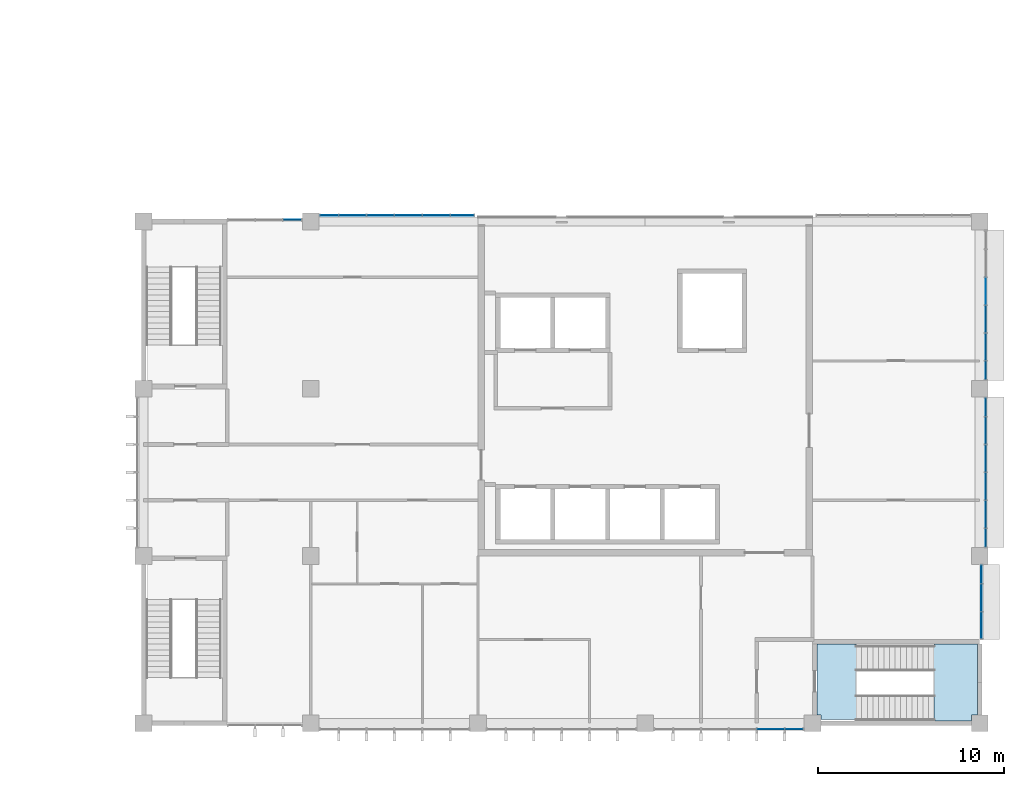
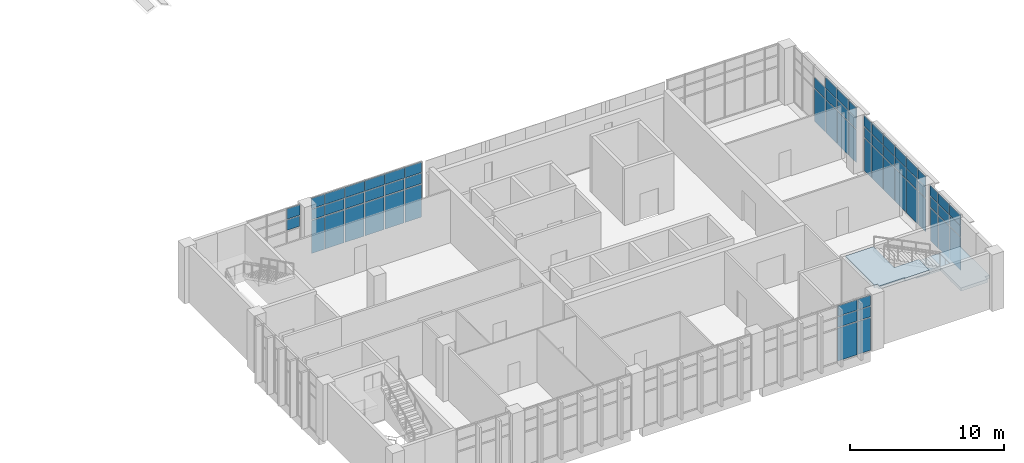
# One storey, part 48 of 79: 64 plates, 2 slabs, 7 elements without a shape of their own.
"""IFC4 building model written with IfcOpenShell, lengths in metres."""

from ifc_helpers import new_model, si_unit, direction, frame, origin, origin_2d, place, context, subcontext, project, spatial, polyline, rectangle, outline, extrude, material, layer, layer_set, type_object, element, aggregate, save


model = new_model("IFC4")

# Units and contexts
model_context = context("Model", 3, precision=1e-05, world=origin(), true_north=direction((0.0, 1.0)))
body_context = subcontext(model_context, "Body", "Model", "MODEL_VIEW")
ifc_project = project(units=[si_unit("LENGTHUNIT", "METRE"), si_unit("AREAUNIT", "SQUARE_METRE"), si_unit("VOLUMEUNIT", "CUBIC_METRE"), si_unit("PLANEANGLEUNIT", "RADIAN"), si_unit("MASSUNIT", "GRAM", prefix="KILO")], contexts=[model_context])

# Site, building, storey
site_placement = place(None, origin())
site = spatial("IfcSite", under=ifc_project, at=site_placement, CompositionType="ELEMENT")
building_placement = place(site_placement, origin())
building = spatial("IfcBuilding", under=site, at=building_placement, Name="Guidao Yard Department Store", CompositionType="ELEMENT")
storey_placement = place(building_placement, frame((0.0, 0.0, 15.0)))
storey = spatial("IfcBuildingStorey", under=building, at=storey_placement, Name="L03", CompositionType="ELEMENT", Elevation=15.0)

# Curtain wall, plates
ifc_material_1 = material(Name="Aluminium and glass", Category="aluminium")
ifc_layer_1 = layer(ifc_material_1, 0.159912109375)
ifc_layer_set_1 = layer_set([ifc_layer_1], Name="Unitised curtain wall CW4 1500 module")
curtain_wall_type = type_object("IfcCurtainWallType", Name="Unitised curtain wall CW4 1500 module", PredefinedType="NOTDEFINED", material=ifc_layer_set_1)
curtain_wall_1_placement = place(storey_placement, origin())
curtain_wall_1 = element("IfcCurtainWall", 1, at=curtain_wall_1_placement, inside=storey, type_object=curtain_wall_type, Name="Unitised curtain wall", PredefinedType="NOTDEFINED")
ifc_material_2 = material(Name="Aluminium 6063-T5 faced insulated spandrel", Category="aluminium")
ifc_layer_2 = layer(ifc_material_2, 0.06005859375)
ifc_layer_set_2 = layer_set([ifc_layer_2], Name="Spandrel panel SP1 insulated opaque")
plate_type_1 = type_object("IfcPlateType", Name="Spandrel panel SP1 insulated opaque", PredefinedType="CURTAIN_PANEL", material=ifc_layer_set_2)
plate_1_placement = place(storey_placement, frame((159.75, -0.330078125, 3.6298828125), z_axis=(0.0, 0.0, 1.0), x_axis=(-1.0, 0.0, 0.0)))
plate_1 = element("IfcPlate", 2, at=plate_1_placement, type_object=plate_type_1, Name="CW-OW-L03-04 panel 5.3", PredefinedType="CURTAIN_PANEL", context=body_context, shape_type="SweptSolid", body=[
    extrude(rectangle(XDim=1.43994140625, YDim=0.06005859375, at=origin_2d()), origin(), (0.0, 0.0, 1.0), 0.81005859375),
])
plate_2_placement = place(storey_placement, frame((161.010009765625, -0.330078125, 3.6298828125), z_axis=(0.0, 0.0, 1.0), x_axis=(-1.0, 0.0, 0.0)))
plate_2 = element("IfcPlate", 3, at=plate_2_placement, type_object=plate_type_1, Name="CW-OW-L03-04 panel 6.3", PredefinedType="CURTAIN_PANEL", context=body_context, shape_type="SweptSolid", body=[
    extrude(rectangle(XDim=0.9599609375, YDim=0.06005859375, at=origin_2d()), origin(), (0.0, 0.0, 1.0), 0.81005859375),
])

# Curtain wall, plate
curtain_wall_2_placement = place(storey_placement, origin())
curtain_wall_2 = element("IfcCurtainWall", 4, at=curtain_wall_2_placement, inside=storey, type_object=curtain_wall_type, Name="Unitised curtain wall", PredefinedType="NOTDEFINED")
plate_3_placement = place(storey_placement, frame((134.010009765625, 27.10009765625, 3.6298828125), z_axis=(0.0, 0.0, 1.0), x_axis=(1.0, 0.0, 0.0)))
plate_3 = element("IfcPlate", 5, at=plate_3_placement, type_object=plate_type_1, Name="CW-OW-L03-06 panel 3.3", PredefinedType="CURTAIN_PANEL", context=body_context, shape_type="SweptSolid", body=[
    extrude(rectangle(XDim=0.9599609375, YDim=0.06005859375, at=origin_2d()), origin(), (0.0, 0.0, 1.0), 0.81005859375),
])

# Curtain wall, plates
curtain_wall_3_placement = place(storey_placement, origin())
curtain_wall_3 = element("IfcCurtainWall", 6, at=curtain_wall_3_placement, inside=storey, type_object=curtain_wall_type, Name="Unitised curtain wall", PredefinedType="NOTDEFINED")
plate_4_placement = place(storey_placement, frame((135.989990234375, 27.330078125, 3.6298828125), z_axis=(0.0, 0.0, 1.0), x_axis=(1.0, 0.0, 0.0)))
plate_4 = element("IfcPlate", 7, at=plate_4_placement, type_object=plate_type_1, Name="CW-OW-L03-07 panel 1.3", PredefinedType="CURTAIN_PANEL", context=body_context, shape_type="SweptSolid", body=[
    extrude(rectangle(XDim=0.9599609375, YDim=0.06005859375, at=origin_2d()), origin(), (0.0, 0.0, 1.0), 0.81005859375),
])
plate_5_placement = place(storey_placement, frame((137.25, 27.330078125, 3.6298828125), z_axis=(0.0, 0.0, 1.0), x_axis=(1.0, 0.0, 0.0)))
plate_5 = element("IfcPlate", 8, at=plate_5_placement, type_object=plate_type_1, Name="CW-OW-L03-07 panel 2.3", PredefinedType="CURTAIN_PANEL", context=body_context, shape_type="SweptSolid", body=[
    extrude(rectangle(XDim=1.43994140625, YDim=0.06005859375, at=origin_2d()), origin(), (0.0, 0.0, 1.0), 0.81005859375),
])
plate_6_placement = place(storey_placement, frame((138.75, 27.330078125, 3.6298828125), z_axis=(0.0, 0.0, 1.0), x_axis=(1.0, 0.0, 0.0)))
plate_6 = element("IfcPlate", 9, at=plate_6_placement, type_object=plate_type_1, Name="CW-OW-L03-07 panel 3.3", PredefinedType="CURTAIN_PANEL", context=body_context, shape_type="SweptSolid", body=[
    extrude(rectangle(XDim=1.43994140625, YDim=0.06005859375, at=origin_2d()), origin(), (0.0, 0.0, 1.0), 0.81005859375),
])
plate_7_placement = place(storey_placement, frame((140.25, 27.330078125, 3.6298828125), z_axis=(0.0, 0.0, 1.0), x_axis=(1.0, 0.0, 0.0)))
plate_7 = element("IfcPlate", 10, at=plate_7_placement, type_object=plate_type_1, Name="CW-OW-L03-07 panel 4.3", PredefinedType="CURTAIN_PANEL", context=body_context, shape_type="SweptSolid", body=[
    extrude(rectangle(XDim=1.43994140625, YDim=0.06005859375, at=origin_2d()), origin(), (0.0, 0.0, 1.0), 0.81005859375),
])
plate_8_placement = place(storey_placement, frame((141.75, 27.330078125, 3.6298828125), z_axis=(0.0, 0.0, 1.0), x_axis=(1.0, 0.0, 0.0)))
plate_8 = element("IfcPlate", 11, at=plate_8_placement, type_object=plate_type_1, Name="CW-OW-L03-07 panel 5.3", PredefinedType="CURTAIN_PANEL", context=body_context, shape_type="SweptSolid", body=[
    extrude(rectangle(XDim=1.43994140625, YDim=0.06005859375, at=origin_2d()), origin(), (0.0, 0.0, 1.0), 0.81005859375),
])
plate_9_placement = place(storey_placement, frame((143.1474609375, 27.330078125, 3.6298828125), z_axis=(0.0, 0.0, 1.0), x_axis=(1.0, 0.0, 0.0)))
plate_9 = element("IfcPlate", 12, at=plate_9_placement, type_object=plate_type_1, Name="CW-OW-L03-07 panel 6.3", PredefinedType="CURTAIN_PANEL", context=body_context, shape_type="SweptSolid", body=[
    extrude(rectangle(XDim=1.235107421875, YDim=0.06005859375, at=origin_2d()), origin(), (0.0, 0.0, 1.0), 0.81005859375),
])

curtain_wall_4_placement = place(storey_placement, origin())
curtain_wall_4 = element("IfcCurtainWall", 13, at=curtain_wall_4_placement, inside=storey, type_object=curtain_wall_type, Name="Unitised curtain wall", PredefinedType="NOTDEFINED")
plate_10_placement = place(storey_placement, frame((171.10009765625, 5.264892578125, 3.6298828125), z_axis=(0.0, 0.0, 1.0), x_axis=(0.0, -1.0, 0.0)))
plate_10 = element("IfcPlate", 14, at=plate_10_placement, type_object=plate_type_1, Name="CW-OW-L03-09 panel 1.3", PredefinedType="CURTAIN_PANEL", context=body_context, shape_type="SweptSolid", body=[
    extrude(rectangle(XDim=1.409912109375, YDim=0.06005859375, at=origin_2d()), origin(), (0.0, 0.0, 1.0), 0.81005859375),
])
plate_11_placement = place(storey_placement, frame((171.10009765625, 6.75, 3.6298828125), z_axis=(0.0, 0.0, 1.0), x_axis=(0.0, -1.0, 0.0)))
plate_11 = element("IfcPlate", 15, at=plate_11_placement, type_object=plate_type_1, Name="CW-OW-L03-09 panel 2.3", PredefinedType="CURTAIN_PANEL", context=body_context, shape_type="SweptSolid", body=[
    extrude(rectangle(XDim=1.43994140625, YDim=0.06005859375, at=origin_2d()), origin(), (0.0, 0.0, 1.0), 0.81005859375),
])
plate_12_placement = place(storey_placement, frame((171.10009765625, 8.010009765625, 3.6298828125), z_axis=(0.0, 0.0, 1.0), x_axis=(0.0, -1.0, 0.0)))
plate_12 = element("IfcPlate", 16, at=plate_12_placement, type_object=plate_type_1, Name="CW-OW-L03-09 panel 3.3", PredefinedType="CURTAIN_PANEL", context=body_context, shape_type="SweptSolid", body=[
    extrude(rectangle(XDim=0.9599609375, YDim=0.06005859375, at=origin_2d()), origin(), (0.0, 0.0, 1.0), 0.81005859375),
])

curtain_wall_5_placement = place(storey_placement, origin())
curtain_wall_5 = element("IfcCurtainWall", 17, at=curtain_wall_5_placement, inside=storey, type_object=curtain_wall_type, Name="Unitised curtain wall", PredefinedType="NOTDEFINED")
plate_13_placement = place(storey_placement, frame((171.330078125, 9.989990234375, 3.6298828125), z_axis=(0.0, 0.0, 1.0), x_axis=(0.0, -1.0, 0.0)))
plate_13 = element("IfcPlate", 18, at=plate_13_placement, type_object=plate_type_1, Name="CW-OW-L03-10 panel 1.3", PredefinedType="CURTAIN_PANEL", context=body_context, shape_type="SweptSolid", body=[
    extrude(rectangle(XDim=0.9599609375, YDim=0.06005859375, at=origin_2d()), origin(), (0.0, 0.0, 1.0), 0.81005859375),
])
plate_14_placement = place(storey_placement, frame((171.330078125, 11.25, 3.6298828125), z_axis=(0.0, 0.0, 1.0), x_axis=(0.0, -1.0, 0.0)))
plate_14 = element("IfcPlate", 19, at=plate_14_placement, type_object=plate_type_1, Name="CW-OW-L03-10 panel 2.3", PredefinedType="CURTAIN_PANEL", context=body_context, shape_type="SweptSolid", body=[
    extrude(rectangle(XDim=1.43994140625, YDim=0.06005859375, at=origin_2d()), origin(), (0.0, 0.0, 1.0), 0.81005859375),
])
plate_15_placement = place(storey_placement, frame((171.330078125, 12.75, 3.6298828125), z_axis=(0.0, 0.0, 1.0), x_axis=(0.0, -1.0, 0.0)))
plate_15 = element("IfcPlate", 20, at=plate_15_placement, type_object=plate_type_1, Name="CW-OW-L03-10 panel 3.3", PredefinedType="CURTAIN_PANEL", context=body_context, shape_type="SweptSolid", body=[
    extrude(rectangle(XDim=1.43994140625, YDim=0.06005859375, at=origin_2d()), origin(), (0.0, 0.0, 1.0), 0.81005859375),
])
plate_16_placement = place(storey_placement, frame((171.330078125, 14.25, 3.6298828125), z_axis=(0.0, 0.0, 1.0), x_axis=(0.0, -1.0, 0.0)))
plate_16 = element("IfcPlate", 21, at=plate_16_placement, type_object=plate_type_1, Name="CW-OW-L03-10 panel 4.3", PredefinedType="CURTAIN_PANEL", context=body_context, shape_type="SweptSolid", body=[
    extrude(rectangle(XDim=1.43994140625, YDim=0.06005859375, at=origin_2d()), origin(), (0.0, 0.0, 1.0), 0.81005859375),
])
plate_17_placement = place(storey_placement, frame((171.330078125, 15.75, 3.6298828125), z_axis=(0.0, 0.0, 1.0), x_axis=(0.0, -1.0, 0.0)))
plate_17 = element("IfcPlate", 22, at=plate_17_placement, type_object=plate_type_1, Name="CW-OW-L03-10 panel 5.3", PredefinedType="CURTAIN_PANEL", context=body_context, shape_type="SweptSolid", body=[
    extrude(rectangle(XDim=1.43994140625, YDim=0.06005859375, at=origin_2d()), origin(), (0.0, 0.0, 1.0), 0.81005859375),
])
plate_18_placement = place(storey_placement, frame((171.330078125, 17.010009765625, 3.6298828125), z_axis=(0.0, 0.0, 1.0), x_axis=(0.0, -1.0, 0.0)))
plate_18 = element("IfcPlate", 23, at=plate_18_placement, type_object=plate_type_1, Name="CW-OW-L03-10 panel 6.3", PredefinedType="CURTAIN_PANEL", context=body_context, shape_type="SweptSolid", body=[
    extrude(rectangle(XDim=0.9599609375, YDim=0.06005859375, at=origin_2d()), origin(), (0.0, 0.0, 1.0), 0.81005859375),
])

curtain_wall_6_placement = place(storey_placement, origin())
curtain_wall_6 = element("IfcCurtainWall", 24, at=curtain_wall_6_placement, inside=storey, type_object=curtain_wall_type, Name="Unitised curtain wall", PredefinedType="NOTDEFINED")
plate_19_placement = place(storey_placement, frame((171.330078125, 18.989990234375, 3.6298828125), z_axis=(0.0, 0.0, 1.0), x_axis=(0.0, -1.0, 0.0)))
plate_19 = element("IfcPlate", 25, at=plate_19_placement, type_object=plate_type_1, Name="CW-OW-L03-11 panel 1.3", PredefinedType="CURTAIN_PANEL", context=body_context, shape_type="SweptSolid", body=[
    extrude(rectangle(XDim=0.9599609375, YDim=0.06005859375, at=origin_2d()), origin(), (0.0, 0.0, 1.0), 0.81005859375),
])
plate_20_placement = place(storey_placement, frame((171.330078125, 20.25, 3.6298828125), z_axis=(0.0, 0.0, 1.0), x_axis=(0.0, -1.0, 0.0)))
plate_20 = element("IfcPlate", 26, at=plate_20_placement, type_object=plate_type_1, Name="CW-OW-L03-11 panel 2.3", PredefinedType="CURTAIN_PANEL", context=body_context, shape_type="SweptSolid", body=[
    extrude(rectangle(XDim=1.43994140625, YDim=0.06005859375, at=origin_2d()), origin(), (0.0, 0.0, 1.0), 0.81005859375),
])
plate_21_placement = place(storey_placement, frame((171.330078125, 21.75, 3.6298828125), z_axis=(0.0, 0.0, 1.0), x_axis=(0.0, -1.0, 0.0)))
plate_21 = element("IfcPlate", 27, at=plate_21_placement, type_object=plate_type_1, Name="CW-OW-L03-11 panel 3.3", PredefinedType="CURTAIN_PANEL", context=body_context, shape_type="SweptSolid", body=[
    extrude(rectangle(XDim=1.43994140625, YDim=0.06005859375, at=origin_2d()), origin(), (0.0, 0.0, 1.0), 0.81005859375),
])

# Stair, slabs
ifc_material_3 = material(Name="Concrete C35", Category="concrete")
stair_type = type_object("IfcStairType", Name="Stair half-turn two-flight 1400 wide 4.5 m rise", PredefinedType="HALF_TURN_STAIR", material=ifc_material_3)
stair_placement = place(storey_placement, origin())
stair = element("IfcStair", 28, at=stair_placement, inside=storey, type_object=stair_type, Name="Stair O2 L03 to L04", PredefinedType="HALF_TURN_STAIR")
ifc_material_4 = material(Name="Concrete C35", Category="concrete")
ifc_layer_3 = layer(ifc_material_4, 0.25)
ifc_layer_set_3 = layer_set([ifc_layer_3], Name="Stair landing RC 250 C35")
slab_type = type_object("IfcSlabType", Name="Stair landing RC 250 C35", PredefinedType="LANDING", material=ifc_layer_set_3)
slab_1_placement = place(storey_placement, frame((0.0, 0.0, 2.0)))
slab_1 = element("IfcSlab", 29, at=slab_1_placement, type_object=slab_type, Name="SO2-L03 landing 1", PredefinedType="LANDING", context=body_context, shape_type="SweptSolid", body=[
    extrude(outline(polyline([(168.550048828125, 1.52490234375), (168.550048828125, 2.800048828125), (166.719970703125, 2.800048828125), (166.719970703125, 4.199951171875), (168.550048828125, 4.199951171875), (168.550048828125, 4.25), (170.875, 4.25), (170.875, 0.449951171875), (170.550048828125, 0.449951171875), (170.550048828125, 0.125), (168.550048828125, 0.125), (168.5400390625, 0.125), (168.5400390625, 1.52490234375), (168.550048828125, 1.52490234375)])), origin(), (0.0, 0.0, 1.0), 0.25),
])
slab_2_placement = place(storey_placement, frame((0.0, 0.0, 4.25)))
slab_2 = element("IfcSlab", 30, at=slab_2_placement, type_object=slab_type, Name="SO2-L03 landing 2", PredefinedType="LANDING", context=body_context, shape_type="SweptSolid", body=[
    extrude(outline(polyline([(164.35009765625, 0.125), (164.35009765625, 0.199951171875), (162.449951171875, 0.199951171875), (162.449951171875, 0.449951171875), (162.25, 0.449951171875), (162.25, 2.800048828125), (162.25, 4.25), (164.360107421875, 4.25), (164.360107421875, 2.800048828125), (164.35009765625, 2.800048828125), (164.35009765625, 1.52490234375), (166.179931640625, 1.52490234375), (166.179931640625, 0.125), (164.35009765625, 0.125)])), origin(), (0.0, 0.0, 1.0), 0.25),
])
aggregate(stair, [slab_1, slab_2])

# Plate
ifc_material_5 = material(Name="Laminated heat-soaked tempered glass", Category="glass")
ifc_layer_4 = layer(ifc_material_5, 0.017578125)
ifc_layer_set_4 = layer_set([ifc_layer_4], Name="Vision glass VG1 laminated heat-soaked tempered 8+8")
plate_type_2 = type_object("IfcPlateType", Name="Vision glass VG1 laminated heat-soaked tempered 8+8", PredefinedType="CURTAIN_PANEL", material=ifc_layer_set_4)
plate_22_placement = place(storey_placement, frame((159.75, -0.330078125, 0.06005859375), z_axis=(0.0, 0.0, 1.0), x_axis=(-1.0, 0.0, 0.0)))
plate_22 = element("IfcPlate", 31, at=plate_22_placement, type_object=plate_type_2, Name="CW-OW-L03-04 panel 5.1", PredefinedType="CURTAIN_PANEL", context=body_context, shape_type="SweptSolid", body=[
    extrude(rectangle(XDim=1.43994140625, YDim=0.017578125, at=origin_2d()), origin(), (0.0, 0.0, 1.0), 2.610107421875),
])

plate_23_placement = place(storey_placement, frame((159.75, -0.330078125, 2.72998046875), z_axis=(0.0, 0.0, 1.0), x_axis=(-1.0, 0.0, 0.0)))
plate_23 = element("IfcPlate", 32, at=plate_23_placement, type_object=plate_type_2, Name="CW-OW-L03-04 panel 5.2", PredefinedType="CURTAIN_PANEL", context=body_context, shape_type="SweptSolid", body=[
    extrude(rectangle(XDim=1.43994140625, YDim=0.017578125, at=origin_2d()), origin(), (0.0, 0.0, 1.0), 0.840087890625),
])

plate_24_placement = place(storey_placement, frame((161.010009765625, -0.330078125, 0.06005859375), z_axis=(0.0, 0.0, 1.0), x_axis=(-1.0, 0.0, 0.0)))
plate_24 = element("IfcPlate", 33, at=plate_24_placement, type_object=plate_type_2, Name="CW-OW-L03-04 panel 6.1", PredefinedType="CURTAIN_PANEL", context=body_context, shape_type="SweptSolid", body=[
    extrude(rectangle(XDim=0.9599609375, YDim=0.017578125, at=origin_2d()), origin(), (0.0, 0.0, 1.0), 2.610107421875),
])

plate_25_placement = place(storey_placement, frame((161.010009765625, -0.330078125, 2.72998046875), z_axis=(0.0, 0.0, 1.0), x_axis=(-1.0, 0.0, 0.0)))
plate_25 = element("IfcPlate", 34, at=plate_25_placement, type_object=plate_type_2, Name="CW-OW-L03-04 panel 6.2", PredefinedType="CURTAIN_PANEL", context=body_context, shape_type="SweptSolid", body=[
    extrude(rectangle(XDim=0.9599609375, YDim=0.017578125, at=origin_2d()), origin(), (0.0, 0.0, 1.0), 0.840087890625),
])

aggregate(curtain_wall_1, [plate_22, plate_23, plate_1, plate_24, plate_25, plate_2])

plate_26_placement = place(storey_placement, frame((134.010009765625, 27.10009765625, 2.72998046875), z_axis=(0.0, 0.0, 1.0), x_axis=(1.0, 0.0, 0.0)))
plate_26 = element("IfcPlate", 35, at=plate_26_placement, type_object=plate_type_2, Name="CW-OW-L03-06 panel 3.2", PredefinedType="CURTAIN_PANEL", context=body_context, shape_type="SweptSolid", body=[
    extrude(rectangle(XDim=0.9599609375, YDim=0.017578125, at=origin_2d()), origin(), (0.0, 0.0, 1.0), 0.840087890625),
])

aggregate(curtain_wall_2, [plate_26, plate_3])

plate_27_placement = place(storey_placement, frame((135.989990234375, 27.330078125, 0.06005859375), z_axis=(0.0, 0.0, 1.0), x_axis=(1.0, 0.0, 0.0)))
plate_27 = element("IfcPlate", 36, at=plate_27_placement, type_object=plate_type_2, Name="CW-OW-L03-07 panel 1.1", PredefinedType="CURTAIN_PANEL", context=body_context, shape_type="SweptSolid", body=[
    extrude(rectangle(XDim=0.9599609375, YDim=0.017578125, at=origin_2d()), origin(), (0.0, 0.0, 1.0), 2.610107421875),
])

plate_28_placement = place(storey_placement, frame((135.989990234375, 27.330078125, 2.72998046875), z_axis=(0.0, 0.0, 1.0), x_axis=(1.0, 0.0, 0.0)))
plate_28 = element("IfcPlate", 37, at=plate_28_placement, type_object=plate_type_2, Name="CW-OW-L03-07 panel 1.2", PredefinedType="CURTAIN_PANEL", context=body_context, shape_type="SweptSolid", body=[
    extrude(rectangle(XDim=0.9599609375, YDim=0.017578125, at=origin_2d()), origin(), (0.0, 0.0, 1.0), 0.840087890625),
])

plate_29_placement = place(storey_placement, frame((137.25, 27.330078125, 0.06005859375), z_axis=(0.0, 0.0, 1.0), x_axis=(1.0, 0.0, 0.0)))
plate_29 = element("IfcPlate", 38, at=plate_29_placement, type_object=plate_type_2, Name="CW-OW-L03-07 panel 2.1", PredefinedType="CURTAIN_PANEL", context=body_context, shape_type="SweptSolid", body=[
    extrude(rectangle(XDim=1.43994140625, YDim=0.017578125, at=origin_2d()), origin(), (0.0, 0.0, 1.0), 2.610107421875),
])

plate_30_placement = place(storey_placement, frame((137.25, 27.330078125, 2.72998046875), z_axis=(0.0, 0.0, 1.0), x_axis=(1.0, 0.0, 0.0)))
plate_30 = element("IfcPlate", 39, at=plate_30_placement, type_object=plate_type_2, Name="CW-OW-L03-07 panel 2.2", PredefinedType="CURTAIN_PANEL", context=body_context, shape_type="SweptSolid", body=[
    extrude(rectangle(XDim=1.43994140625, YDim=0.017578125, at=origin_2d()), origin(), (0.0, 0.0, 1.0), 0.840087890625),
])

plate_31_placement = place(storey_placement, frame((138.75, 27.330078125, 0.06005859375), z_axis=(0.0, 0.0, 1.0), x_axis=(1.0, 0.0, 0.0)))
plate_31 = element("IfcPlate", 40, at=plate_31_placement, type_object=plate_type_2, Name="CW-OW-L03-07 panel 3.1", PredefinedType="CURTAIN_PANEL", context=body_context, shape_type="SweptSolid", body=[
    extrude(rectangle(XDim=1.43994140625, YDim=0.017578125, at=origin_2d()), origin(), (0.0, 0.0, 1.0), 2.610107421875),
])

plate_32_placement = place(storey_placement, frame((138.75, 27.330078125, 2.72998046875), z_axis=(0.0, 0.0, 1.0), x_axis=(1.0, 0.0, 0.0)))
plate_32 = element("IfcPlate", 41, at=plate_32_placement, type_object=plate_type_2, Name="CW-OW-L03-07 panel 3.2", PredefinedType="CURTAIN_PANEL", context=body_context, shape_type="SweptSolid", body=[
    extrude(rectangle(XDim=1.43994140625, YDim=0.017578125, at=origin_2d()), origin(), (0.0, 0.0, 1.0), 0.840087890625),
])

plate_33_placement = place(storey_placement, frame((140.25, 27.330078125, 0.06005859375), z_axis=(0.0, 0.0, 1.0), x_axis=(1.0, 0.0, 0.0)))
plate_33 = element("IfcPlate", 42, at=plate_33_placement, type_object=plate_type_2, Name="CW-OW-L03-07 panel 4.1", PredefinedType="CURTAIN_PANEL", context=body_context, shape_type="SweptSolid", body=[
    extrude(rectangle(XDim=1.43994140625, YDim=0.017578125, at=origin_2d()), origin(), (0.0, 0.0, 1.0), 2.610107421875),
])

plate_34_placement = place(storey_placement, frame((140.25, 27.330078125, 2.72998046875), z_axis=(0.0, 0.0, 1.0), x_axis=(1.0, 0.0, 0.0)))
plate_34 = element("IfcPlate", 43, at=plate_34_placement, type_object=plate_type_2, Name="CW-OW-L03-07 panel 4.2", PredefinedType="CURTAIN_PANEL", context=body_context, shape_type="SweptSolid", body=[
    extrude(rectangle(XDim=1.43994140625, YDim=0.017578125, at=origin_2d()), origin(), (0.0, 0.0, 1.0), 0.840087890625),
])

plate_35_placement = place(storey_placement, frame((141.75, 27.330078125, 0.06005859375), z_axis=(0.0, 0.0, 1.0), x_axis=(1.0, 0.0, 0.0)))
plate_35 = element("IfcPlate", 44, at=plate_35_placement, type_object=plate_type_2, Name="CW-OW-L03-07 panel 5.1", PredefinedType="CURTAIN_PANEL", context=body_context, shape_type="SweptSolid", body=[
    extrude(rectangle(XDim=1.43994140625, YDim=0.017578125, at=origin_2d()), origin(), (0.0, 0.0, 1.0), 2.610107421875),
])

plate_36_placement = place(storey_placement, frame((141.75, 27.330078125, 2.72998046875), z_axis=(0.0, 0.0, 1.0), x_axis=(1.0, 0.0, 0.0)))
plate_36 = element("IfcPlate", 45, at=plate_36_placement, type_object=plate_type_2, Name="CW-OW-L03-07 panel 5.2", PredefinedType="CURTAIN_PANEL", context=body_context, shape_type="SweptSolid", body=[
    extrude(rectangle(XDim=1.43994140625, YDim=0.017578125, at=origin_2d()), origin(), (0.0, 0.0, 1.0), 0.840087890625),
])

plate_37_placement = place(storey_placement, frame((143.1474609375, 27.330078125, 0.06005859375), z_axis=(0.0, 0.0, 1.0), x_axis=(1.0, 0.0, 0.0)))
plate_37 = element("IfcPlate", 46, at=plate_37_placement, type_object=plate_type_2, Name="CW-OW-L03-07 panel 6.1", PredefinedType="CURTAIN_PANEL", context=body_context, shape_type="SweptSolid", body=[
    extrude(rectangle(XDim=1.235107421875, YDim=0.017578125, at=origin_2d()), origin(), (0.0, 0.0, 1.0), 2.610107421875),
])

plate_38_placement = place(storey_placement, frame((143.1474609375, 27.330078125, 2.72998046875), z_axis=(0.0, 0.0, 1.0), x_axis=(1.0, 0.0, 0.0)))
plate_38 = element("IfcPlate", 47, at=plate_38_placement, type_object=plate_type_2, Name="CW-OW-L03-07 panel 6.2", PredefinedType="CURTAIN_PANEL", context=body_context, shape_type="SweptSolid", body=[
    extrude(rectangle(XDim=1.235107421875, YDim=0.017578125, at=origin_2d()), origin(), (0.0, 0.0, 1.0), 0.840087890625),
])

aggregate(curtain_wall_3, [plate_27, plate_28, plate_4, plate_29, plate_30, plate_5, plate_31, plate_32, plate_6, plate_33, plate_34, plate_7, plate_35, plate_36, plate_8, plate_37, plate_38, plate_9])

plate_39_placement = place(storey_placement, frame((171.10009765625, 5.264892578125, 0.06005859375), z_axis=(0.0, 0.0, 1.0), x_axis=(0.0, -1.0, 0.0)))
plate_39 = element("IfcPlate", 48, at=plate_39_placement, type_object=plate_type_2, Name="CW-OW-L03-09 panel 1.1", PredefinedType="CURTAIN_PANEL", context=body_context, shape_type="SweptSolid", body=[
    extrude(rectangle(XDim=1.409912109375, YDim=0.017578125, at=origin_2d()), origin(), (0.0, 0.0, 1.0), 2.610107421875),
])

plate_40_placement = place(storey_placement, frame((171.10009765625, 5.264892578125, 2.72998046875), z_axis=(0.0, 0.0, 1.0), x_axis=(0.0, -1.0, 0.0)))
plate_40 = element("IfcPlate", 49, at=plate_40_placement, type_object=plate_type_2, Name="CW-OW-L03-09 panel 1.2", PredefinedType="CURTAIN_PANEL", context=body_context, shape_type="SweptSolid", body=[
    extrude(rectangle(XDim=1.409912109375, YDim=0.017578125, at=origin_2d()), origin(), (0.0, 0.0, 1.0), 0.840087890625),
])

plate_41_placement = place(storey_placement, frame((171.10009765625, 6.75, 0.06005859375), z_axis=(0.0, 0.0, 1.0), x_axis=(0.0, -1.0, 0.0)))
plate_41 = element("IfcPlate", 50, at=plate_41_placement, type_object=plate_type_2, Name="CW-OW-L03-09 panel 2.1", PredefinedType="CURTAIN_PANEL", context=body_context, shape_type="SweptSolid", body=[
    extrude(rectangle(XDim=1.43994140625, YDim=0.017578125, at=origin_2d()), origin(), (0.0, 0.0, 1.0), 2.610107421875),
])

plate_42_placement = place(storey_placement, frame((171.10009765625, 6.75, 2.72998046875), z_axis=(0.0, 0.0, 1.0), x_axis=(0.0, -1.0, 0.0)))
plate_42 = element("IfcPlate", 51, at=plate_42_placement, type_object=plate_type_2, Name="CW-OW-L03-09 panel 2.2", PredefinedType="CURTAIN_PANEL", context=body_context, shape_type="SweptSolid", body=[
    extrude(rectangle(XDim=1.43994140625, YDim=0.017578125, at=origin_2d()), origin(), (0.0, 0.0, 1.0), 0.840087890625),
])

plate_43_placement = place(storey_placement, frame((171.10009765625, 8.010009765625, 0.06005859375), z_axis=(0.0, 0.0, 1.0), x_axis=(0.0, -1.0, 0.0)))
plate_43 = element("IfcPlate", 52, at=plate_43_placement, type_object=plate_type_2, Name="CW-OW-L03-09 panel 3.1", PredefinedType="CURTAIN_PANEL", context=body_context, shape_type="SweptSolid", body=[
    extrude(rectangle(XDim=0.9599609375, YDim=0.017578125, at=origin_2d()), origin(), (0.0, 0.0, 1.0), 2.610107421875),
])

plate_44_placement = place(storey_placement, frame((171.10009765625, 8.010009765625, 2.72998046875), z_axis=(0.0, 0.0, 1.0), x_axis=(0.0, -1.0, 0.0)))
plate_44 = element("IfcPlate", 53, at=plate_44_placement, type_object=plate_type_2, Name="CW-OW-L03-09 panel 3.2", PredefinedType="CURTAIN_PANEL", context=body_context, shape_type="SweptSolid", body=[
    extrude(rectangle(XDim=0.9599609375, YDim=0.017578125, at=origin_2d()), origin(), (0.0, 0.0, 1.0), 0.840087890625),
])

aggregate(curtain_wall_4, [plate_39, plate_40, plate_10, plate_41, plate_42, plate_11, plate_43, plate_44, plate_12])

plate_45_placement = place(storey_placement, frame((171.330078125, 9.989990234375, 0.06005859375), z_axis=(0.0, 0.0, 1.0), x_axis=(0.0, -1.0, 0.0)))
plate_45 = element("IfcPlate", 54, at=plate_45_placement, type_object=plate_type_2, Name="CW-OW-L03-10 panel 1.1", PredefinedType="CURTAIN_PANEL", context=body_context, shape_type="SweptSolid", body=[
    extrude(rectangle(XDim=0.9599609375, YDim=0.017578125, at=origin_2d()), origin(), (0.0, 0.0, 1.0), 2.610107421875),
])

plate_46_placement = place(storey_placement, frame((171.330078125, 9.989990234375, 2.72998046875), z_axis=(0.0, 0.0, 1.0), x_axis=(0.0, -1.0, 0.0)))
plate_46 = element("IfcPlate", 55, at=plate_46_placement, type_object=plate_type_2, Name="CW-OW-L03-10 panel 1.2", PredefinedType="CURTAIN_PANEL", context=body_context, shape_type="SweptSolid", body=[
    extrude(rectangle(XDim=0.9599609375, YDim=0.017578125, at=origin_2d()), origin(), (0.0, 0.0, 1.0), 0.840087890625),
])

plate_47_placement = place(storey_placement, frame((171.330078125, 11.25, 0.06005859375), z_axis=(0.0, 0.0, 1.0), x_axis=(0.0, -1.0, 0.0)))
plate_47 = element("IfcPlate", 56, at=plate_47_placement, type_object=plate_type_2, Name="CW-OW-L03-10 panel 2.1", PredefinedType="CURTAIN_PANEL", context=body_context, shape_type="SweptSolid", body=[
    extrude(rectangle(XDim=1.43994140625, YDim=0.017578125, at=origin_2d()), origin(), (0.0, 0.0, 1.0), 2.610107421875),
])

plate_48_placement = place(storey_placement, frame((171.330078125, 11.25, 2.72998046875), z_axis=(0.0, 0.0, 1.0), x_axis=(0.0, -1.0, 0.0)))
plate_48 = element("IfcPlate", 57, at=plate_48_placement, type_object=plate_type_2, Name="CW-OW-L03-10 panel 2.2", PredefinedType="CURTAIN_PANEL", context=body_context, shape_type="SweptSolid", body=[
    extrude(rectangle(XDim=1.43994140625, YDim=0.017578125, at=origin_2d()), origin(), (0.0, 0.0, 1.0), 0.840087890625),
])

plate_49_placement = place(storey_placement, frame((171.330078125, 12.75, 0.06005859375), z_axis=(0.0, 0.0, 1.0), x_axis=(0.0, -1.0, 0.0)))
plate_49 = element("IfcPlate", 58, at=plate_49_placement, type_object=plate_type_2, Name="CW-OW-L03-10 panel 3.1", PredefinedType="CURTAIN_PANEL", context=body_context, shape_type="SweptSolid", body=[
    extrude(rectangle(XDim=1.43994140625, YDim=0.017578125, at=origin_2d()), origin(), (0.0, 0.0, 1.0), 2.610107421875),
])

plate_50_placement = place(storey_placement, frame((171.330078125, 12.75, 2.72998046875), z_axis=(0.0, 0.0, 1.0), x_axis=(0.0, -1.0, 0.0)))
plate_50 = element("IfcPlate", 59, at=plate_50_placement, type_object=plate_type_2, Name="CW-OW-L03-10 panel 3.2", PredefinedType="CURTAIN_PANEL", context=body_context, shape_type="SweptSolid", body=[
    extrude(rectangle(XDim=1.43994140625, YDim=0.017578125, at=origin_2d()), origin(), (0.0, 0.0, 1.0), 0.840087890625),
])

plate_51_placement = place(storey_placement, frame((171.330078125, 14.25, 0.06005859375), z_axis=(0.0, 0.0, 1.0), x_axis=(0.0, -1.0, 0.0)))
plate_51 = element("IfcPlate", 60, at=plate_51_placement, type_object=plate_type_2, Name="CW-OW-L03-10 panel 4.1", PredefinedType="CURTAIN_PANEL", context=body_context, shape_type="SweptSolid", body=[
    extrude(rectangle(XDim=1.43994140625, YDim=0.017578125, at=origin_2d()), origin(), (0.0, 0.0, 1.0), 2.610107421875),
])

plate_52_placement = place(storey_placement, frame((171.330078125, 14.25, 2.72998046875), z_axis=(0.0, 0.0, 1.0), x_axis=(0.0, -1.0, 0.0)))
plate_52 = element("IfcPlate", 61, at=plate_52_placement, type_object=plate_type_2, Name="CW-OW-L03-10 panel 4.2", PredefinedType="CURTAIN_PANEL", context=body_context, shape_type="SweptSolid", body=[
    extrude(rectangle(XDim=1.43994140625, YDim=0.017578125, at=origin_2d()), origin(), (0.0, 0.0, 1.0), 0.840087890625),
])

plate_53_placement = place(storey_placement, frame((171.330078125, 15.75, 0.06005859375), z_axis=(0.0, 0.0, 1.0), x_axis=(0.0, -1.0, 0.0)))
plate_53 = element("IfcPlate", 62, at=plate_53_placement, type_object=plate_type_2, Name="CW-OW-L03-10 panel 5.1", PredefinedType="CURTAIN_PANEL", context=body_context, shape_type="SweptSolid", body=[
    extrude(rectangle(XDim=1.43994140625, YDim=0.017578125, at=origin_2d()), origin(), (0.0, 0.0, 1.0), 2.610107421875),
])

plate_54_placement = place(storey_placement, frame((171.330078125, 15.75, 2.72998046875), z_axis=(0.0, 0.0, 1.0), x_axis=(0.0, -1.0, 0.0)))
plate_54 = element("IfcPlate", 63, at=plate_54_placement, type_object=plate_type_2, Name="CW-OW-L03-10 panel 5.2", PredefinedType="CURTAIN_PANEL", context=body_context, shape_type="SweptSolid", body=[
    extrude(rectangle(XDim=1.43994140625, YDim=0.017578125, at=origin_2d()), origin(), (0.0, 0.0, 1.0), 0.840087890625),
])

plate_55_placement = place(storey_placement, frame((171.330078125, 17.010009765625, 0.06005859375), z_axis=(0.0, 0.0, 1.0), x_axis=(0.0, -1.0, 0.0)))
plate_55 = element("IfcPlate", 64, at=plate_55_placement, type_object=plate_type_2, Name="CW-OW-L03-10 panel 6.1", PredefinedType="CURTAIN_PANEL", context=body_context, shape_type="SweptSolid", body=[
    extrude(rectangle(XDim=0.9599609375, YDim=0.017578125, at=origin_2d()), origin(), (0.0, 0.0, 1.0), 2.610107421875),
])

plate_56_placement = place(storey_placement, frame((171.330078125, 17.010009765625, 2.72998046875), z_axis=(0.0, 0.0, 1.0), x_axis=(0.0, -1.0, 0.0)))
plate_56 = element("IfcPlate", 65, at=plate_56_placement, type_object=plate_type_2, Name="CW-OW-L03-10 panel 6.2", PredefinedType="CURTAIN_PANEL", context=body_context, shape_type="SweptSolid", body=[
    extrude(rectangle(XDim=0.9599609375, YDim=0.017578125, at=origin_2d()), origin(), (0.0, 0.0, 1.0), 0.840087890625),
])

aggregate(curtain_wall_5, [plate_45, plate_46, plate_13, plate_47, plate_48, plate_14, plate_49, plate_50, plate_15, plate_51, plate_52, plate_16, plate_53, plate_54, plate_17, plate_55, plate_56, plate_18])

plate_57_placement = place(storey_placement, frame((171.330078125, 18.989990234375, 0.06005859375), z_axis=(0.0, 0.0, 1.0), x_axis=(0.0, -1.0, 0.0)))
plate_57 = element("IfcPlate", 66, at=plate_57_placement, type_object=plate_type_2, Name="CW-OW-L03-11 panel 1.1", PredefinedType="CURTAIN_PANEL", context=body_context, shape_type="SweptSolid", body=[
    extrude(rectangle(XDim=0.9599609375, YDim=0.017578125, at=origin_2d()), origin(), (0.0, 0.0, 1.0), 2.610107421875),
])

plate_58_placement = place(storey_placement, frame((171.330078125, 18.989990234375, 2.72998046875), z_axis=(0.0, 0.0, 1.0), x_axis=(0.0, -1.0, 0.0)))
plate_58 = element("IfcPlate", 67, at=plate_58_placement, type_object=plate_type_2, Name="CW-OW-L03-11 panel 1.2", PredefinedType="CURTAIN_PANEL", context=body_context, shape_type="SweptSolid", body=[
    extrude(rectangle(XDim=0.9599609375, YDim=0.017578125, at=origin_2d()), origin(), (0.0, 0.0, 1.0), 0.840087890625),
])

plate_59_placement = place(storey_placement, frame((171.330078125, 20.25, 0.06005859375), z_axis=(0.0, 0.0, 1.0), x_axis=(0.0, -1.0, 0.0)))
plate_59 = element("IfcPlate", 68, at=plate_59_placement, type_object=plate_type_2, Name="CW-OW-L03-11 panel 2.1", PredefinedType="CURTAIN_PANEL", context=body_context, shape_type="SweptSolid", body=[
    extrude(rectangle(XDim=1.43994140625, YDim=0.017578125, at=origin_2d()), origin(), (0.0, 0.0, 1.0), 2.610107421875),
])

plate_60_placement = place(storey_placement, frame((171.330078125, 20.25, 2.72998046875), z_axis=(0.0, 0.0, 1.0), x_axis=(0.0, -1.0, 0.0)))
plate_60 = element("IfcPlate", 69, at=plate_60_placement, type_object=plate_type_2, Name="CW-OW-L03-11 panel 2.2", PredefinedType="CURTAIN_PANEL", context=body_context, shape_type="SweptSolid", body=[
    extrude(rectangle(XDim=1.43994140625, YDim=0.017578125, at=origin_2d()), origin(), (0.0, 0.0, 1.0), 0.840087890625),
])

plate_61_placement = place(storey_placement, frame((171.330078125, 21.75, 0.06005859375), z_axis=(0.0, 0.0, 1.0), x_axis=(0.0, -1.0, 0.0)))
plate_61 = element("IfcPlate", 70, at=plate_61_placement, type_object=plate_type_2, Name="CW-OW-L03-11 panel 3.1", PredefinedType="CURTAIN_PANEL", context=body_context, shape_type="SweptSolid", body=[
    extrude(rectangle(XDim=1.43994140625, YDim=0.017578125, at=origin_2d()), origin(), (0.0, 0.0, 1.0), 2.610107421875),
])

plate_62_placement = place(storey_placement, frame((171.330078125, 21.75, 2.72998046875), z_axis=(0.0, 0.0, 1.0), x_axis=(0.0, -1.0, 0.0)))
plate_62 = element("IfcPlate", 71, at=plate_62_placement, type_object=plate_type_2, Name="CW-OW-L03-11 panel 3.2", PredefinedType="CURTAIN_PANEL", context=body_context, shape_type="SweptSolid", body=[
    extrude(rectangle(XDim=1.43994140625, YDim=0.017578125, at=origin_2d()), origin(), (0.0, 0.0, 1.0), 0.840087890625),
])

plate_63_placement = place(storey_placement, frame((171.330078125, 23.25, 0.06005859375), z_axis=(0.0, 0.0, 1.0), x_axis=(0.0, -1.0, 0.0)))
plate_63 = element("IfcPlate", 72, at=plate_63_placement, type_object=plate_type_2, Name="CW-OW-L03-11 panel 4.1", PredefinedType="CURTAIN_PANEL", context=body_context, shape_type="SweptSolid", body=[
    extrude(rectangle(XDim=1.43994140625, YDim=0.017578125, at=origin_2d()), origin(), (0.0, 0.0, 1.0), 2.610107421875),
])

plate_64_placement = place(storey_placement, frame((171.330078125, 23.25, 2.72998046875), z_axis=(0.0, 0.0, 1.0), x_axis=(0.0, -1.0, 0.0)))
plate_64 = element("IfcPlate", 73, at=plate_64_placement, type_object=plate_type_2, Name="CW-OW-L03-11 panel 4.2", PredefinedType="CURTAIN_PANEL", context=body_context, shape_type="SweptSolid", body=[
    extrude(rectangle(XDim=1.43994140625, YDim=0.017578125, at=origin_2d()), origin(), (0.0, 0.0, 1.0), 0.840087890625),
])

aggregate(curtain_wall_6, [plate_57, plate_58, plate_19, plate_59, plate_60, plate_20, plate_61, plate_62, plate_21, plate_63, plate_64])

save(model, "model.ifc")
